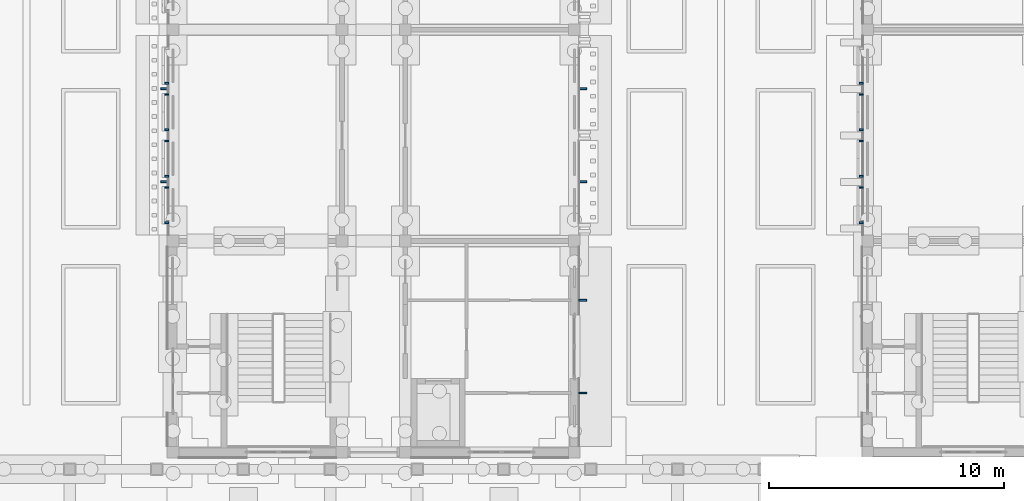
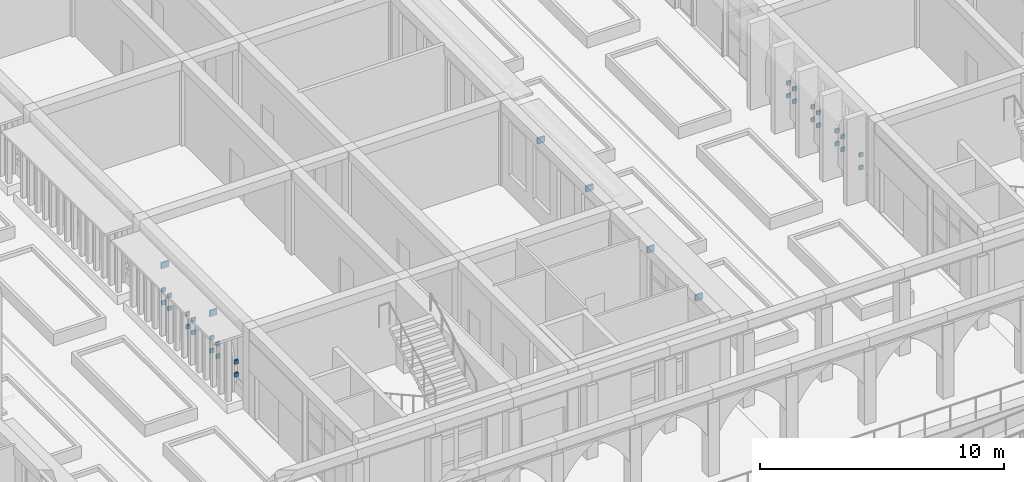
# One storey, part 83 of 161: 34 discrete accessories.
"""IFC4 building model written with IfcOpenShell, lengths in metres."""

from ifc_helpers import new_model, si_unit, direction, frame, origin, origin_2d, place, context, subcontext, project, spatial, rectangle, extrude, material, type_object, element, save


model = new_model("IFC4")

# Units and contexts
model_context = context("Model", 3, precision=1e-05, world=origin(), true_north=direction((0.0, 1.0)))
body_context = subcontext(model_context, "Body", "Model", "MODEL_VIEW")
ifc_project = project(units=[si_unit("LENGTHUNIT", "METRE"), si_unit("AREAUNIT", "SQUARE_METRE"), si_unit("VOLUMEUNIT", "CUBIC_METRE"), si_unit("PLANEANGLEUNIT", "RADIAN"), si_unit("MASSUNIT", "GRAM", prefix="KILO")], contexts=[model_context])

# Site, building, storey
site_placement = place(None, origin())
site = spatial("IfcSite", under=ifc_project, at=site_placement, CompositionType="ELEMENT")
building_placement = place(site_placement, origin())
building = spatial("IfcBuilding", under=site, at=building_placement, Name="Elbe Cascade School", CompositionType="ELEMENT")
storey_placement = place(building_placement, origin())
storey = spatial("IfcBuildingStorey", under=building, at=storey_placement, Name="L00", CompositionType="ELEMENT", Elevation=0.0)

# Discrete accessories
ifc_material = material(Name="Steel S355J2, hot-dip galvanised", Category="steel")
discrete_accessory_type = type_object("IfcDiscreteAccessoryType", Name="Bars envelope Bracket, galvanised steel", PredefinedType="BRACKET", material=ifc_material)
for number, where, z_axis, x_axis, name in (
    (1, (127.844970703125, 17.52001953125, 3.330078125), (0.0, 0.0, 1.0), (0.0, 1.0, 0.0), "Bracket AC7 eave.w.2.br1"),
    (2, (127.844970703125, 21.47998046875, 3.330078125), (0.0, 0.0, 1.0), (0.0, 1.0, 0.0), "Bracket AC7 eave.w.2.br2"),
):
    element("IfcDiscreteAccessory", number, at=place(storey_placement, frame(where, z_axis=z_axis, x_axis=x_axis)), inside=storey, type_object=discrete_accessory_type, Name=name, PredefinedType="BRACKET", context=body_context, shape_type="SweptSolid", body=[
        extrude(rectangle(XDim=0.080078125, YDim=0.35009765625, at=origin_2d()), origin(), (0.0, 0.0, 1.0), 0.300048828125),
    ])
for number, where, z_axis, x_axis, name in (
    (3, (127.929931640625, 15.780029296875, 1.2998046875), (0.0, 0.0, 1.0), (0.0, 1.0, 0.0), "Bracket AC7 jali.w.2.br1ll"),
    (4, (127.929931640625, 15.780029296875, 1.93994140625), (0.0, 0.0, 1.0), (0.0, 1.0, 0.0), "Bracket AC7 jali.w.2.br1lu"),
    (5, (127.929931640625, 17.280029296875, 1.2998046875), (0.0, 0.0, 1.0), (0.0, 1.0, 0.0), "Bracket AC7 jali.w.2.br1rl"),
    (6, (127.929931640625, 17.280029296875, 1.93994140625), (0.0, 0.0, 1.0), (0.0, 1.0, 0.0), "Bracket AC7 jali.w.2.br1ru"),
    (7, (127.929931640625, 17.760009765625, 1.2998046875), (0.0, 0.0, 1.0), (0.0, 1.0, 0.0), "Bracket AC7 jali.w.2.br2ll"),
    (8, (127.929931640625, 17.760009765625, 1.93994140625), (0.0, 0.0, 1.0), (0.0, 1.0, 0.0), "Bracket AC7 jali.w.2.br2lu"),
    (9, (127.929931640625, 19.260009765625, 1.2998046875), (0.0, 0.0, 1.0), (0.0, 1.0, 0.0), "Bracket AC7 jali.w.2.br2rl"),
    (10, (127.929931640625, 19.260009765625, 1.93994140625), (0.0, 0.0, 1.0), (0.0, 1.0, 0.0), "Bracket AC7 jali.w.2.br2ru"),
    (11, (127.929931640625, 19.739990234375, 1.2998046875), (0.0, 0.0, 1.0), (0.0, 1.0, 0.0), "Bracket AC7 jali.w.2.br3ll"),
    (12, (127.929931640625, 19.739990234375, 1.93994140625), (0.0, 0.0, 1.0), (0.0, 1.0, 0.0), "Bracket AC7 jali.w.2.br3lu"),
    (13, (127.929931640625, 21.239990234375, 1.2998046875), (0.0, 0.0, 1.0), (0.0, 1.0, 0.0), "Bracket AC7 jali.w.2.br3rl"),
    (14, (127.929931640625, 21.239990234375, 1.93994140625), (0.0, 0.0, 1.0), (0.0, 1.0, 0.0), "Bracket AC7 jali.w.2.br3ru"),
    (15, (127.929931640625, 21.719970703125, 1.2998046875), (0.0, 0.0, 1.0), (0.0, 1.0, 0.0), "Bracket AC7 jali.w.2.br4ll"),
    (16, (127.929931640625, 21.719970703125, 1.93994140625), (0.0, 0.0, 1.0), (0.0, 1.0, 0.0), "Bracket AC7 jali.w.2.br4lu"),
):
    element("IfcDiscreteAccessory", number, at=place(storey_placement, frame(where, z_axis=z_axis, x_axis=x_axis)), inside=storey, type_object=discrete_accessory_type, Name=name, PredefinedType="BRACKET", context=body_context, shape_type="SweptSolid", body=[
        extrude(rectangle(XDim=0.080078125, YDim=0.179931640625, at=origin_2d()), origin(), (0.0, 0.0, 1.0), 0.199951171875),
    ])
for number, where, z_axis, x_axis, name in (
    (17, (145.655029296875, 8.52001953125, 3.330078125), (0.0, 0.0, 1.0), (0.0, 1.0, 0.0), "Bracket AC7 eave.e.1.br1"),
    (18, (145.655029296875, 12.47998046875, 3.330078125), (0.0, 0.0, 1.0), (0.0, 1.0, 0.0), "Bracket AC7 eave.e.1.br2"),
    (19, (145.655029296875, 17.52001953125, 3.330078125), (0.0, 0.0, 1.0), (0.0, 1.0, 0.0), "Bracket AC7 eave.e.2.br1"),
    (20, (145.655029296875, 21.47998046875, 3.330078125), (0.0, 0.0, 1.0), (0.0, 1.0, 0.0), "Bracket AC7 eave.e.2.br2"),
):
    element("IfcDiscreteAccessory", number, at=place(storey_placement, frame(where, z_axis=z_axis, x_axis=x_axis)), inside=storey, type_object=discrete_accessory_type, Name=name, PredefinedType="BRACKET", context=body_context, shape_type="SweptSolid", body=[
        extrude(rectangle(XDim=0.080078125, YDim=0.35009765625, at=origin_2d()), origin(), (0.0, 0.0, 1.0), 0.300048828125),
    ])
for number, where, z_axis, x_axis, name in (
    (21, (157.530029296875, 15.780029296875, 1.2998046875), (0.0, 0.0, 1.0), (0.0, 1.0, 0.0), "Bracket AC7 jali.w.2.br1ll"),
    (22, (157.530029296875, 15.780029296875, 1.93994140625), (0.0, 0.0, 1.0), (0.0, 1.0, 0.0), "Bracket AC7 jali.w.2.br1lu"),
    (23, (157.530029296875, 17.280029296875, 1.2998046875), (0.0, 0.0, 1.0), (0.0, 1.0, 0.0), "Bracket AC7 jali.w.2.br1rl"),
    (24, (157.530029296875, 17.280029296875, 1.93994140625), (0.0, 0.0, 1.0), (0.0, 1.0, 0.0), "Bracket AC7 jali.w.2.br1ru"),
    (25, (157.530029296875, 17.760009765625, 1.2998046875), (0.0, 0.0, 1.0), (0.0, 1.0, 0.0), "Bracket AC7 jali.w.2.br2ll"),
    (26, (157.530029296875, 17.760009765625, 1.93994140625), (0.0, 0.0, 1.0), (0.0, 1.0, 0.0), "Bracket AC7 jali.w.2.br2lu"),
    (27, (157.530029296875, 19.260009765625, 1.2998046875), (0.0, 0.0, 1.0), (0.0, 1.0, 0.0), "Bracket AC7 jali.w.2.br2rl"),
    (28, (157.530029296875, 19.260009765625, 1.93994140625), (0.0, 0.0, 1.0), (0.0, 1.0, 0.0), "Bracket AC7 jali.w.2.br2ru"),
    (29, (157.530029296875, 19.739990234375, 1.2998046875), (0.0, 0.0, 1.0), (0.0, 1.0, 0.0), "Bracket AC7 jali.w.2.br3ll"),
    (30, (157.530029296875, 19.739990234375, 1.93994140625), (0.0, 0.0, 1.0), (0.0, 1.0, 0.0), "Bracket AC7 jali.w.2.br3lu"),
    (31, (157.530029296875, 21.239990234375, 1.2998046875), (0.0, 0.0, 1.0), (0.0, 1.0, 0.0), "Bracket AC7 jali.w.2.br3rl"),
    (32, (157.530029296875, 21.239990234375, 1.93994140625), (0.0, 0.0, 1.0), (0.0, 1.0, 0.0), "Bracket AC7 jali.w.2.br3ru"),
    (33, (157.530029296875, 21.719970703125, 1.2998046875), (0.0, 0.0, 1.0), (0.0, 1.0, 0.0), "Bracket AC7 jali.w.2.br4ll"),
    (34, (157.530029296875, 21.719970703125, 1.93994140625), (0.0, 0.0, 1.0), (0.0, 1.0, 0.0), "Bracket AC7 jali.w.2.br4lu"),
):
    element("IfcDiscreteAccessory", number, at=place(storey_placement, frame(where, z_axis=z_axis, x_axis=x_axis)), inside=storey, type_object=discrete_accessory_type, Name=name, PredefinedType="BRACKET", context=body_context, shape_type="SweptSolid", body=[
        extrude(rectangle(XDim=0.080078125, YDim=0.179931640625, at=origin_2d()), origin(), (0.0, 0.0, 1.0), 0.199951171875),
    ])

save(model, "model.ifc")
